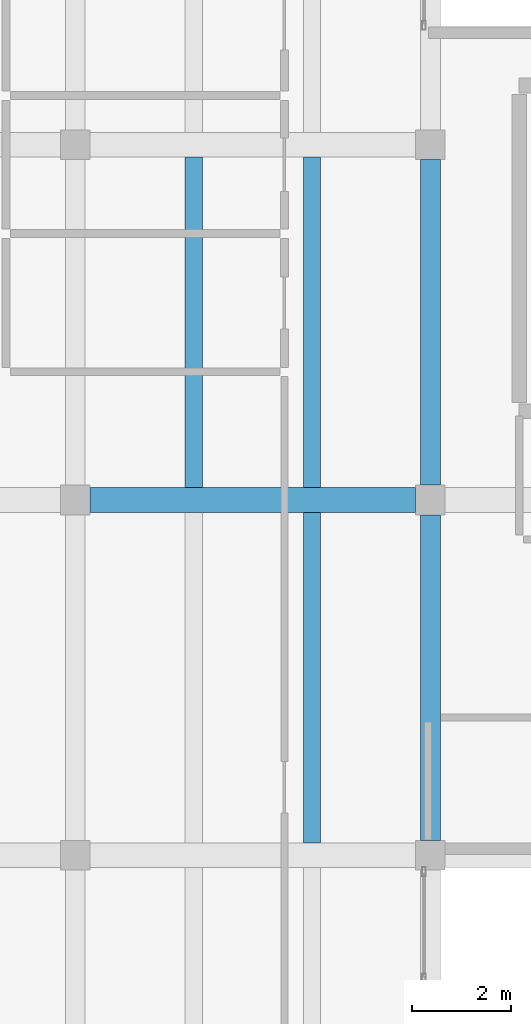
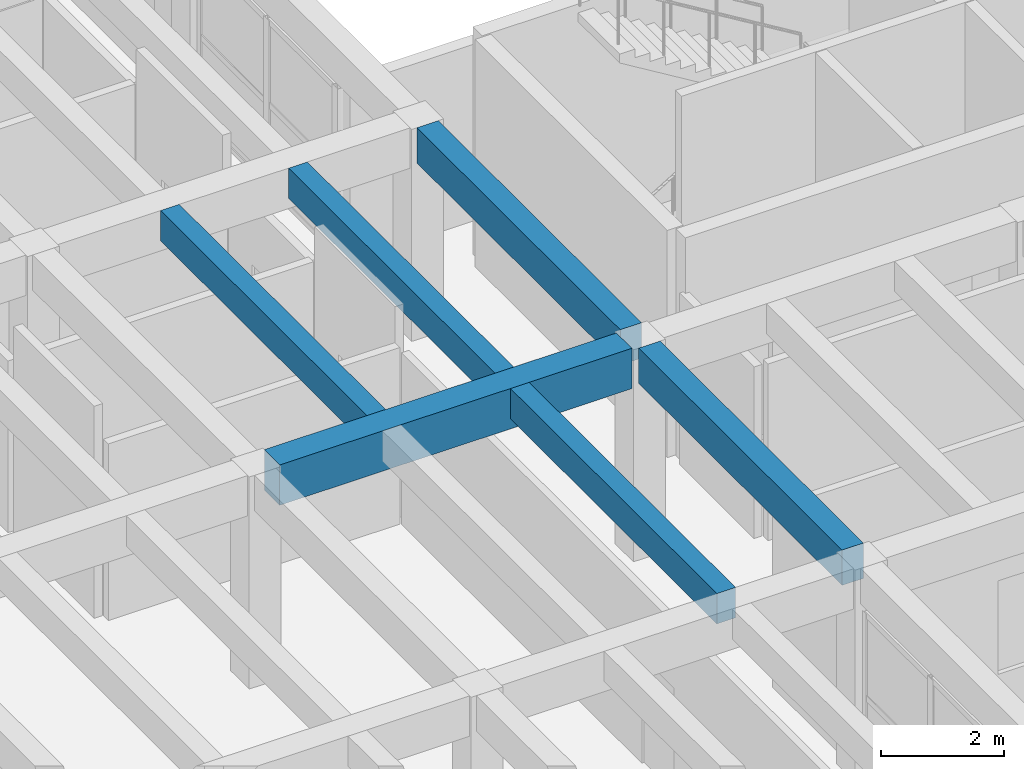
# One storey, part 64 of 153: 6 beams.
"""IFC4 building model written with IfcOpenShell, lengths in metres."""

from ifc_helpers import new_model, si_unit, direction, frame, origin, origin_2d, place, context, subcontext, project, spatial, rectangle, extrude, material, material_profile, profile_set, type_object, element, save


model = new_model("IFC4")

# Units and contexts
model_context = context("Model", 3, precision=1e-05, world=origin(), true_north=direction((0.0, 1.0)))
body_context = subcontext(model_context, "Body", "Model", "MODEL_VIEW")
ifc_project = project(units=[si_unit("LENGTHUNIT", "METRE"), si_unit("AREAUNIT", "SQUARE_METRE"), si_unit("VOLUMEUNIT", "CUBIC_METRE"), si_unit("PLANEANGLEUNIT", "RADIAN"), si_unit("MASSUNIT", "GRAM", prefix="KILO")], contexts=[model_context])

# Site, building, storey
site_placement = place(None, origin())
site = spatial("IfcSite", under=ifc_project, at=site_placement, CompositionType="ELEMENT")
building_placement = place(site_placement, origin())
building = spatial("IfcBuilding", under=site, at=building_placement, Name="Bramvelor Terrace Health Centre", CompositionType="ELEMENT")
storey_placement = place(building_placement, frame((0.0, 0.0, 4.800048828125)))
storey = spatial("IfcBuildingStorey", under=building, at=storey_placement, Name="L02", CompositionType="ELEMENT", Elevation=4.800048828125)

# Beams
ifc_material_1 = material(Name="Concrete C40/50", Category="concrete")
ifc_material_profile_1 = material_profile(ifc_material_1, rectangle(XDim=0.39990234375, YDim=0.699951171875, at=origin_2d()), Name="RC 400x700")
ifc_profile_set_1 = profile_set([ifc_material_profile_1], Name="Concrete C40/50")
beam_type_1 = type_object("IfcBeamType", Name="BM-RC-G700", PredefinedType="BEAM", material=ifc_profile_set_1)
for number, where, z_axis, x_axis, name in (
    (1, (14.39990234375, 79.5, 3.849853515625), (0.0, 1.0, 0.0), (-1.0, 0.0, 0.0), "L02 Floor Girder"),
    (2, (14.39990234375, 86.699951171875, 3.849853515625), (0.0, 1.0, 0.0), (-1.0, 0.0, 0.0), "L02 Floor Girder"),
):
    element("IfcBeam", number, at=place(storey_placement, frame(where, z_axis=z_axis, x_axis=x_axis)), inside=storey, type_object=beam_type_1, Name=name, PredefinedType="BEAM", context=body_context, shape_type="SweptSolid", body=[
        extrude(rectangle(XDim=0.39990234375, YDim=0.699951171875, at=origin_2d()), origin(), (0.0, 0.0, 1.0), 6.60009765625),
    ])
ifc_material_2 = material(Name="Concrete C40/50", Category="concrete")
ifc_material_profile_2 = material_profile(ifc_material_2, rectangle(XDim=0.5, YDim=0.800048828125, at=origin_2d()), Name="RC 500x800")
ifc_profile_set_2 = profile_set([ifc_material_profile_2], Name="Concrete C40/50")
beam_type_2 = type_object("IfcBeamType", Name="BM-RC-G800", PredefinedType="BEAM", material=ifc_profile_set_2)
beam_1_placement = place(storey_placement, frame((7.5, 86.39990234375, 3.800048828125), z_axis=(1.0, 0.0, 0.0), x_axis=(0.0, 1.0, 0.0)))
element("IfcBeam", 3, at=beam_1_placement, inside=storey, type_object=beam_type_2, Name="L02 Floor Girder", PredefinedType="BEAM", context=body_context, shape_type="SweptSolid", body=[
    extrude(rectangle(XDim=0.5, YDim=0.800048828125, at=origin_2d()), origin(), (0.0, 0.0, 1.0), 6.60009765625),
])
ifc_material_3 = material(Name="Concrete C40/50", Category="concrete")
ifc_material_profile_3 = material_profile(ifc_material_3, rectangle(XDim=0.35009765625, YDim=0.60009765625, at=origin_2d()), Name="RC 350x600")
ifc_profile_set_3 = profile_set([ifc_material_profile_3], Name="Concrete C40/50")
beam_type_3 = type_object("IfcBeamType", Name="BM-RC-J600", PredefinedType="JOIST", material=ifc_profile_set_3)
beam_2_placement = place(storey_placement, frame((12.0, 79.449951171875, 3.89990234375), z_axis=(0.0, 1.0, 0.0), x_axis=(-1.0, 0.0, 0.0)))
element("IfcBeam", 4, at=beam_2_placement, inside=storey, type_object=beam_type_3, Name="L02 Secondary Floor Joist", PredefinedType="JOIST", context=body_context, shape_type="SweptSolid", body=[
    extrude(rectangle(XDim=0.35009765625, YDim=0.60009765625, at=origin_2d()), origin(), (0.0, 0.0, 1.0), 6.699951171875),
])
for number, where, z_axis, x_axis, name in (
    (5, (9.60009765625, 86.64990234375, 3.89990234375), (0.0, 1.0, 0.0), (-1.0, 0.0, 0.0), "L02 Secondary Floor Joist"),
    (6, (12.0, 86.64990234375, 3.89990234375), (0.0, 1.0, 0.0), (-1.0, 0.0, 0.0), "L02 Secondary Floor Joist"),
):
    element("IfcBeam", number, at=place(storey_placement, frame(where, z_axis=z_axis, x_axis=x_axis)), inside=storey, type_object=beam_type_3, Name=name, PredefinedType="JOIST", context=body_context, shape_type="SweptSolid", body=[
        extrude(rectangle(XDim=0.35009765625, YDim=0.60009765625, at=origin_2d()), origin(), (0.0, 0.0, 1.0), 6.7001953125),
    ])

save(model, "model.ifc")
